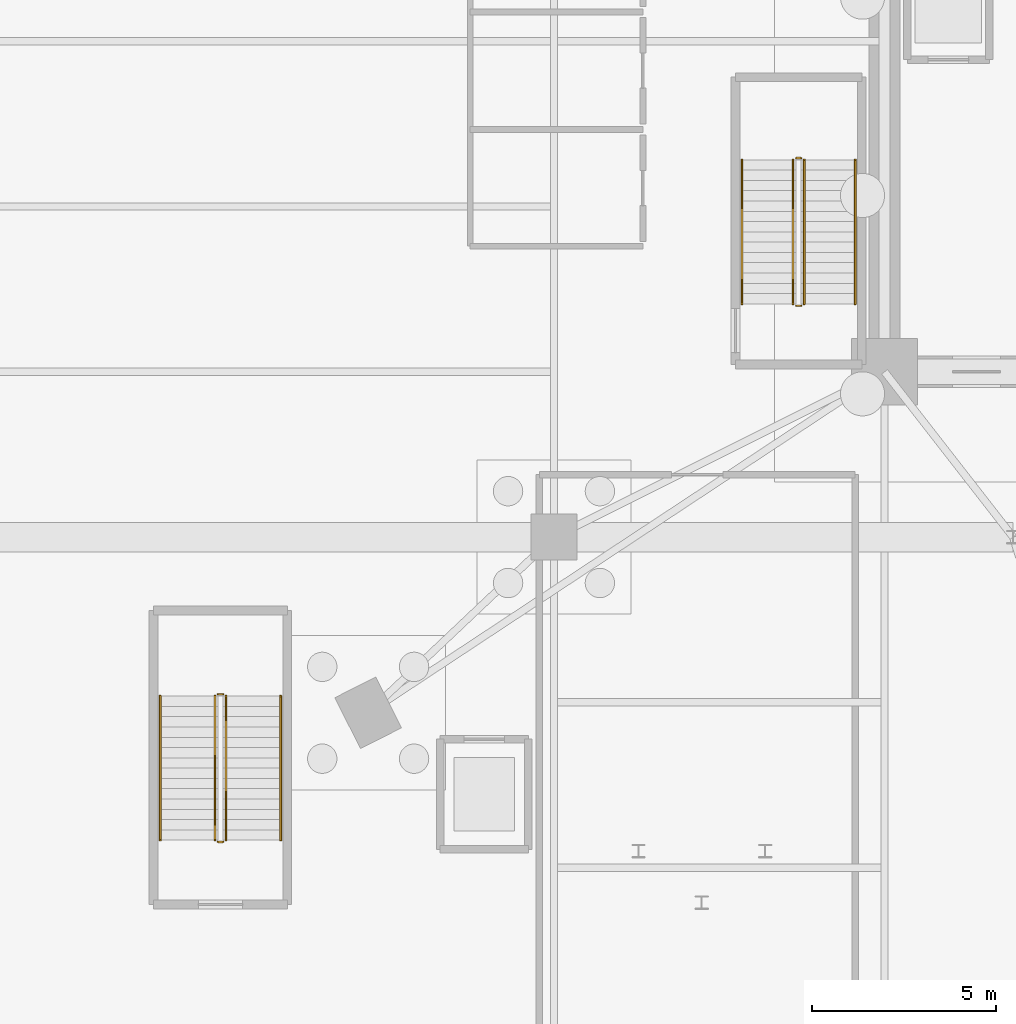
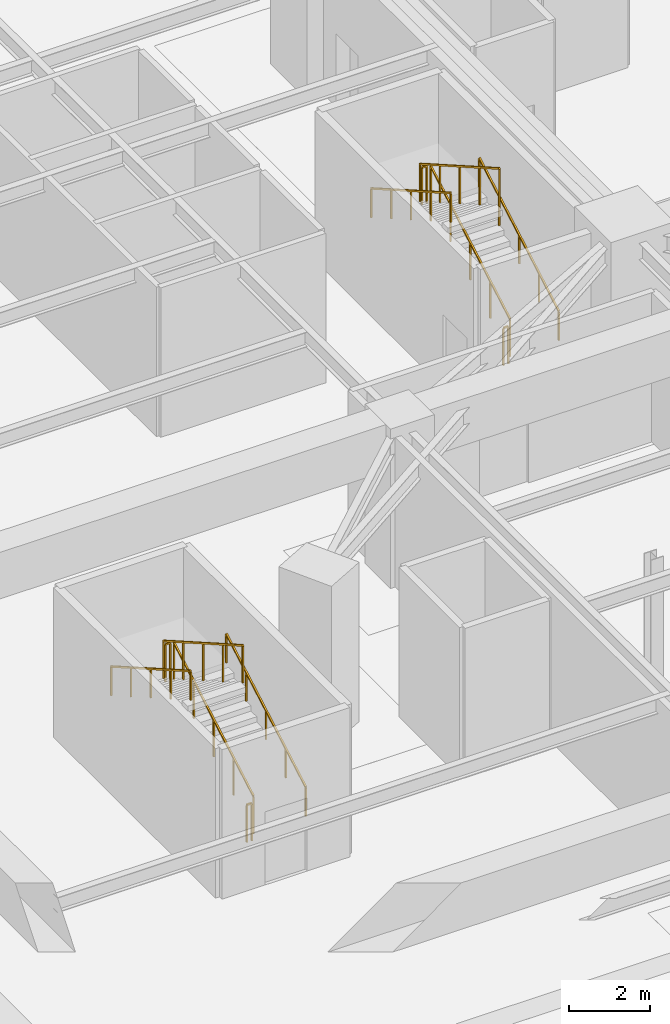
# One storey, part 15 of 19: 12 railings.
"""IFC4 building model written with IfcOpenShell, lengths in metres."""

import ifcopenshell
import ifcopenshell.guid

model = None  # the IFC model being written
_history = None  # IfcOwnerHistory: only IFC2X3 demands one
_inside = {}  # id of a spatial element -> (the spatial element, [elements in it])
_under = {}  # id of a project, library or spatial element -> (it, [spatial elements below it])
_declared = {}  # id of a project -> (the project, [libraries it declares])
_typed = {}  # id of a type object -> (the type object, [elements of that type])
_made_of = {}  # id of a material, layer set ... -> (it, [elements and type objects made of it])


def new_model(schema):
    """Start an empty IFC model of exactly this schema.

    Asked for "IFC4X3", IfcOpenShell would pick the latest addendum, in which some entities
    have other attributes; the version numbers below select the first issue.
    IFC2X3 requires an IfcOwnerHistory on every rooted entity: one is made here for all.
    """
    global model, _history
    if schema == "IFC4X3":
        model = ifcopenshell.file(schema_version=(4, 3, 0, 0))
    else:
        model = ifcopenshell.file(schema=schema)
    _inside.clear()
    _under.clear()
    _declared.clear()
    _typed.clear()
    _made_of.clear()
    _history = None
    if model.schema == "IFC2X3":
        org = make("IfcOrganization", Name="unknown")
        user = make(
            "IfcPersonAndOrganization",
            ThePerson=make("IfcPerson", FamilyName="unknown"),
            TheOrganization=org,
        )
        app = make(
            "IfcApplication",
            ApplicationDeveloper=org,
            Version="unknown",
            ApplicationFullName="unknown",
            ApplicationIdentifier="unknown",
        )
        _history = make(
            "IfcOwnerHistory",
            OwningUser=user,
            OwningApplication=app,
            ChangeAction="ADDED",
            CreationDate=0,
        )
    return model


def make(cls, **values):
    """One entity of the class cls with the attributes given. An attribute that is None is left unset."""
    return model.create_entity(
        cls, **{name: value for name, value in values.items() if value is not None}
    )


def rooted(cls, **values):
    """An entity with a GlobalId (a new one), such as an element, a storey or a relation."""
    return make(cls, GlobalId=ifcopenshell.guid.new(), OwnerHistory=_history, **values)


def si_unit(unit_type, name, prefix=None):
    """IfcSIUnit, for example si_unit("LENGTHUNIT", "METRE", prefix="MILLI")."""
    return make("IfcSIUnit", UnitType=unit_type, Prefix=prefix, Name=name)


def assignment(units):
    """IfcUnitAssignment: the units of a project."""
    return None if units is None else make("IfcUnitAssignment", Units=units)


def point(xyz):
    """IfcCartesianPoint."""
    return None if xyz is None else make("IfcCartesianPoint", Coordinates=xyz)


def direction(xyz):
    """IfcDirection."""
    return None if xyz is None else make("IfcDirection", DirectionRatios=xyz)


def frame(location, z_axis=None, x_axis=None):
    """IfcAxis2Placement3D, a coordinate frame: its origin and axes. An axis left out is left unset."""
    return make(
        "IfcAxis2Placement3D",
        Location=point(location),
        Axis=direction(z_axis),
        RefDirection=direction(x_axis),
    )


def frame_2d(location, x_axis=None):
    """IfcAxis2Placement2D, a coordinate frame in the plane: its origin and x axis."""
    return make(
        "IfcAxis2Placement2D", Location=point(location), RefDirection=direction(x_axis)
    )


def origin():
    """The frame at (0, 0, 0) with its axes left unset."""
    return frame((0.0, 0.0, 0.0))


def origin_2d():
    """The frame at (0, 0) in the plane with its x axis left unset."""
    return frame_2d((0.0, 0.0))


def place(relative_to, where):
    """IfcLocalPlacement: puts the frame where relative to a parent placement (None: the world)."""
    return make(
        "IfcLocalPlacement", PlacementRelTo=relative_to, RelativePlacement=where
    )


def context(
    kind, dimensions, precision=None, world=None, true_north=None, identifier=None
):
    """IfcGeometricRepresentationContext, for example the 3D "Model" context."""
    return make(
        "IfcGeometricRepresentationContext",
        ContextIdentifier=identifier,
        ContextType=kind,
        CoordinateSpaceDimension=dimensions,
        Precision=precision,
        WorldCoordinateSystem=world,
        TrueNorth=true_north,
    )


def subcontext(parent, identifier, kind, view, scale=None):
    """IfcGeometricRepresentationSubContext, for example "Body" below "Model"."""
    return make(
        "IfcGeometricRepresentationSubContext",
        ContextIdentifier=identifier,
        ContextType=kind,
        ParentContext=parent,
        TargetScale=scale,
        TargetView=view,
    )


def project(units=None, contexts=None):
    """IfcProject with its units and contexts."""
    return rooted(
        "IfcProject",
        Name="project",
        RepresentationContexts=contexts,
        UnitsInContext=assignment(units),
    )


def spatial(cls, under=None, at=None, **own):
    """A site, building, storey or space (cls), placed at a placement, below another one or the project."""
    s = rooted(cls, ObjectPlacement=at, **own)
    if under is not None:
        _under.setdefault(under.id(), (under, []))[1].append(s)
    return s


def profile(cls, at=None, kind="AREA", **sizes):
    """A parametric profile (cls). Its sizes go by their IFC names, for example OverallWidth=200.0."""
    return make(cls, ProfileType=kind, Position=at, **sizes)


def rectangle(**sizes):
    """IfcRectangleProfileDef."""
    return profile("IfcRectangleProfileDef", **sizes)


def extrude(swept, where, along, depth):
    """IfcExtrudedAreaSolid: the profile swept, set in the frame where, extruded along a direction by depth."""
    return make(
        "IfcExtrudedAreaSolid",
        SweptArea=swept,
        Position=where,
        ExtrudedDirection=direction(along),
        Depth=depth,
    )


def shape(context_of_items, identifier, shape_type, items):
    """IfcShapeRepresentation: the items that make up one representation, for example the "Body"."""
    return make(
        "IfcShapeRepresentation",
        ContextOfItems=context_of_items,
        RepresentationIdentifier=identifier,
        RepresentationType=shape_type,
        Items=items,
    )


def material(Name=None, Category=None):
    """IfcMaterial."""
    return make("IfcMaterial", Name=Name, Category=Category)


def made_of(thing, what):
    """Note that an element or type object is made of a material, layer set ...; save() writes the relation."""
    if what is not None:
        _made_of.setdefault(what.id(), (what, []))[1].append(thing)
    return thing


def type_object(cls, material=None, **own):
    """A type object (cls), such as IfcWallType, which elements share."""
    return made_of(rooted(cls, **own), material)


def element(
    cls,
    number,
    at=None,
    inside=None,
    cuts=None,
    type_object=None,
    material=None,
    context=None,
    identifier="Body",
    shape_type=None,
    held_by="IfcProductDefinitionShape",
    body=None,
    shapes=None,
    **own,
):
    """One element of the class cls, such as IfcWall. Its Tag is "e" and its number.

    at: its placement. inside: the storey or other place that contains it. cuts: it is an
    opening in that element (IfcRelVoidsElement). A single representation is given by context,
    identifier, shape_type and body (its items); several are given by shapes. held_by: the class
    of the entity that holds the representations. save() writes the other relations.
    """
    e = rooted(cls, Tag="e%d" % number, ObjectPlacement=at, **own)
    if body is not None:
        shapes = [shape(context, identifier, shape_type, body)]
    if shapes is not None:
        e.Representation = make(held_by, Representations=shapes)
    if inside is not None:
        _inside.setdefault(inside.id(), (inside, []))[1].append(e)
    if cuts is not None:
        rooted(
            "IfcRelVoidsElement", RelatingBuildingElement=cuts, RelatedOpeningElement=e
        )
    if type_object is not None:
        _typed.setdefault(type_object.id(), (type_object, []))[1].append(e)
    return made_of(e, material)


def aggregate(whole, parts):
    """IfcRelAggregates: a whole, such as a stair, and the parts it consists of."""
    return rooted("IfcRelAggregates", RelatingObject=whole, RelatedObjects=parts)


def save(model, path):
    """Write the relations noted so far, then the file.

    IfcRelAggregates (storeys below a building ...), IfcRelContainedInSpatialStructure (elements
    in a storey), IfcRelDefinesByType, IfcRelAssociatesMaterial and IfcRelDeclares: one each for
    every whole, place, type object, material and project.
    """
    for whole, parts in _under.values():
        aggregate(whole, parts)
    for where, things in _inside.values():
        rooted(
            "IfcRelContainedInSpatialStructure",
            RelatedElements=things,
            RelatingStructure=where,
        )
    for kind, things in _typed.values():
        rooted("IfcRelDefinesByType", RelatedObjects=things, RelatingType=kind)
    for what, things in _made_of.values():
        rooted("IfcRelAssociatesMaterial", RelatedObjects=things, RelatingMaterial=what)
    for by, libraries in _declared.values():
        rooted("IfcRelDeclares", RelatingContext=by, RelatedDefinitions=libraries)
    model.write(path)


model = new_model("IFC4")

# Units and contexts
model_context = context("Model", 3, precision=1e-05, world=origin(), true_north=direction((0.0, 1.0)))
body_context = subcontext(model_context, "Body", "Model", "MODEL_VIEW")
ifc_project = project(units=[si_unit("LENGTHUNIT", "METRE"), si_unit("AREAUNIT", "SQUARE_METRE"), si_unit("VOLUMEUNIT", "CUBIC_METRE"), si_unit("PLANEANGLEUNIT", "RADIAN"), si_unit("MASSUNIT", "GRAM", prefix="KILO")], contexts=[model_context])

# Site, building, storey
site_placement = place(None, origin())
site = spatial("IfcSite", under=ifc_project, at=site_placement, CompositionType="ELEMENT")
building_placement = place(site_placement, origin())
building = spatial("IfcBuilding", under=site, at=building_placement, Name="Liaohun Quay Tower", CompositionType="ELEMENT")
storey_placement = place(building_placement, frame((0.0, 0.0, -9.60009765625)))
storey = spatial("IfcBuildingStorey", under=building, at=storey_placement, Name="B2", CompositionType="ELEMENT", Elevation=-9.60009765625)

# Railings
ifc_material_1 = material(Name="Painted tubular steel", Category="steel")
railing_type_1 = type_object("IfcRailingType", Name="RLG-GUARD-STR", PredefinedType="GUARDRAIL", material=ifc_material_1)
railing_1_placement = place(storey_placement, frame((48.81005859375, 48.35009765625, 0.16015625)))
element("IfcRailing", 1, at=railing_1_placement, inside=storey, type_object=railing_type_1, Name="B2 ST-1 stair guard 1", PredefinedType="GUARDRAIL", context=body_context, shape_type="SweptSolid", body=[
    extrude(rectangle(XDim=0.048095703125, YDim=0.048095703125, at=origin_2d()), frame((0.0, 0.0, 1.1259765625), z_axis=(0.0, 0.868239814368, 0.496144761885), x_axis=(-1.0, 0.0, 0.0)), (0.0, 0.0, 1.0), 4.514892578125),
    extrude(rectangle(XDim=0.0419921875, YDim=0.0419921875, at=origin_2d()), origin(), (0.0, 0.0, 1.0), 1.101806640625),
    extrude(rectangle(XDim=0.0419921875, YDim=0.0419921875, at=origin_2d()), frame((0.0, 0.97998046875, 0.56005859375)), (0.0, 0.0, 1.0), 1.101806640625),
    extrude(rectangle(XDim=0.0419921875, YDim=0.0419921875, at=origin_2d()), frame((0.0, 1.9599609375, 1.1201171875)), (0.0, 0.0, 1.0), 1.101806640625),
    extrude(rectangle(XDim=0.0419921875, YDim=0.0419921875, at=origin_2d()), frame((0.0, 2.93994140625, 1.679931640625)), (0.0, 0.0, 1.0), 1.101806640625),
    extrude(rectangle(XDim=0.0419921875, YDim=0.0419921875, at=origin_2d()), frame((0.0, 3.919921875, 2.239990234375)), (0.0, 0.0, 1.0), 1.101806640625),
])
railing_2_placement = place(storey_placement, frame((48.72998046875, 52.320068359375, 2.400146484375)))
element("IfcRailing", 2, at=railing_2_placement, inside=storey, type_object=railing_type_1, Name="B2 ST-1 stair guard 2", PredefinedType="GUARDRAIL", context=body_context, shape_type="SweptSolid", body=[
    extrude(rectangle(XDim=0.048095703125, YDim=0.048095703125, at=origin_2d()), frame((0.0, 0.0, 1.1259765625), z_axis=(-1.0, 0.0, 0.0), x_axis=(0.0, -1.0, 0.0)), (0.0, 0.0, 1.0), 0.139892578125),
    extrude(rectangle(XDim=0.0419921875, YDim=0.0419921875, at=origin_2d()), origin(), (0.0, 0.0, 1.0), 1.101806640625),
    extrude(rectangle(XDim=0.0419921875, YDim=0.0419921875, at=origin_2d()), frame((-0.139892578125, 0.0, 0.0)), (0.0, 0.0, 1.0), 1.101806640625),
])
railing_3_placement = place(storey_placement, frame((48.510009765625, 52.27001953125, 2.56005859375)))
element("IfcRailing", 3, at=railing_3_placement, inside=storey, type_object=railing_type_1, Name="B2 ST-1 stair guard 3", PredefinedType="GUARDRAIL", context=body_context, shape_type="SweptSolid", body=[
    extrude(rectangle(XDim=0.048095703125, YDim=0.048095703125, at=origin_2d()), frame((0.0, 0.0, 1.1259765625), z_axis=(0.0, -0.868239814368, 0.496144761885), x_axis=(1.0, 0.0, 0.0)), (0.0, 0.0, 1.0), 4.514892578125),
    extrude(rectangle(XDim=0.0419921875, YDim=0.0419921875, at=origin_2d()), origin(), (0.0, 0.0, 1.0), 1.101806640625),
    extrude(rectangle(XDim=0.0419921875, YDim=0.0419921875, at=origin_2d()), frame((0.0, -0.97998046875, 0.56005859375)), (0.0, 0.0, 1.0), 1.101806640625),
    extrude(rectangle(XDim=0.0419921875, YDim=0.0419921875, at=origin_2d()), frame((0.0, -1.9599609375, 1.1201171875)), (0.0, 0.0, 1.0), 1.101806640625),
    extrude(rectangle(XDim=0.0419921875, YDim=0.0419921875, at=origin_2d()), frame((0.0, -2.93994140625, 1.679931640625)), (0.0, 0.0, 1.0), 1.101806640625),
    extrude(rectangle(XDim=0.0419921875, YDim=0.0419921875, at=origin_2d()), frame((0.0, -3.919921875, 2.239990234375)), (0.0, 0.0, 1.0), 1.101806640625),
])
railing_4_placement = place(storey_placement, frame((48.72998046875, 48.300048828125, 0.0)))
element("IfcRailing", 4, at=railing_4_placement, inside=storey, type_object=railing_type_1, Name="B2 ST-1 stair guard 4", PredefinedType="GUARDRAIL", context=body_context, shape_type="SweptSolid", body=[
    extrude(rectangle(XDim=0.048095703125, YDim=0.048095703125, at=origin_2d()), frame((0.0, 0.0, 1.1259765625), z_axis=(-1.0, 0.0, 0.0), x_axis=(0.0, -1.0, 0.0)), (0.0, 0.0, 1.0), 0.139892578125),
    extrude(rectangle(XDim=0.0419921875, YDim=0.0419921875, at=origin_2d()), origin(), (0.0, 0.0, 1.0), 1.101806640625),
    extrude(rectangle(XDim=0.0419921875, YDim=0.0419921875, at=origin_2d()), frame((-0.139892578125, 0.0, 0.0)), (0.0, 0.0, 1.0), 1.101806640625),
])
railing_5_placement = place(storey_placement, frame((33.070068359375, 33.75, 0.16015625)))
element("IfcRailing", 5, at=railing_5_placement, inside=storey, type_object=railing_type_1, Name="B2 ST-P1 stair guard 1", PredefinedType="GUARDRAIL", context=body_context, shape_type="SweptSolid", body=[
    extrude(rectangle(XDim=0.048095703125, YDim=0.048095703125, at=origin_2d()), frame((0.0, 0.0, 1.1259765625), z_axis=(0.0, 0.868239814368, 0.496144761885), x_axis=(-1.0, 0.0, 0.0)), (0.0, 0.0, 1.0), 4.514892578125),
    extrude(rectangle(XDim=0.0419921875, YDim=0.0419921875, at=origin_2d()), origin(), (0.0, 0.0, 1.0), 1.101806640625),
    extrude(rectangle(XDim=0.0419921875, YDim=0.0419921875, at=origin_2d()), frame((0.0, 0.97998046875, 0.56005859375)), (0.0, 0.0, 1.0), 1.101806640625),
    extrude(rectangle(XDim=0.0419921875, YDim=0.0419921875, at=origin_2d()), frame((0.0, 1.9599609375, 1.1201171875)), (0.0, 0.0, 1.0), 1.101806640625),
    extrude(rectangle(XDim=0.0419921875, YDim=0.0419921875, at=origin_2d()), frame((0.0, 2.93994140625, 1.679931640625)), (0.0, 0.0, 1.0), 1.101806640625),
    extrude(rectangle(XDim=0.0419921875, YDim=0.0419921875, at=origin_2d()), frame((0.0, 3.919921875, 2.239990234375)), (0.0, 0.0, 1.0), 1.101806640625),
])
railing_6_placement = place(storey_placement, frame((32.989990234375, 37.719970703125, 2.400146484375)))
element("IfcRailing", 6, at=railing_6_placement, inside=storey, type_object=railing_type_1, Name="B2 ST-P1 stair guard 2", PredefinedType="GUARDRAIL", context=body_context, shape_type="SweptSolid", body=[
    extrude(rectangle(XDim=0.048095703125, YDim=0.048095703125, at=origin_2d()), frame((0.0, 0.0, 1.1259765625), z_axis=(-1.0, 0.0, 0.0), x_axis=(0.0, -1.0, 0.0)), (0.0, 0.0, 1.0), 0.139892578125),
    extrude(rectangle(XDim=0.0419921875, YDim=0.0419921875, at=origin_2d()), origin(), (0.0, 0.0, 1.0), 1.101806640625),
    extrude(rectangle(XDim=0.0419921875, YDim=0.0419921875, at=origin_2d()), frame((-0.139892578125, 0.0, 0.0)), (0.0, 0.0, 1.0), 1.101806640625),
])
railing_7_placement = place(storey_placement, frame((32.77001953125, 37.669921875, 2.56005859375)))
element("IfcRailing", 7, at=railing_7_placement, inside=storey, type_object=railing_type_1, Name="B2 ST-P1 stair guard 3", PredefinedType="GUARDRAIL", context=body_context, shape_type="SweptSolid", body=[
    extrude(rectangle(XDim=0.048095703125, YDim=0.048095703125, at=origin_2d()), frame((0.0, 0.0, 1.1259765625), z_axis=(0.0, -0.868239814368, 0.496144761885), x_axis=(1.0, 0.0, 0.0)), (0.0, 0.0, 1.0), 4.514892578125),
    extrude(rectangle(XDim=0.0419921875, YDim=0.0419921875, at=origin_2d()), origin(), (0.0, 0.0, 1.0), 1.101806640625),
    extrude(rectangle(XDim=0.0419921875, YDim=0.0419921875, at=origin_2d()), frame((0.0, -0.97998046875, 0.56005859375)), (0.0, 0.0, 1.0), 1.101806640625),
    extrude(rectangle(XDim=0.0419921875, YDim=0.0419921875, at=origin_2d()), frame((0.0, -1.9599609375, 1.1201171875)), (0.0, 0.0, 1.0), 1.101806640625),
    extrude(rectangle(XDim=0.0419921875, YDim=0.0419921875, at=origin_2d()), frame((0.0, -2.93994140625, 1.679931640625)), (0.0, 0.0, 1.0), 1.101806640625),
    extrude(rectangle(XDim=0.0419921875, YDim=0.0419921875, at=origin_2d()), frame((0.0, -3.919921875, 2.239990234375)), (0.0, 0.0, 1.0), 1.101806640625),
])
railing_8_placement = place(storey_placement, frame((32.989990234375, 33.699951171875, 0.0)))
element("IfcRailing", 8, at=railing_8_placement, inside=storey, type_object=railing_type_1, Name="B2 ST-P1 stair guard 4", PredefinedType="GUARDRAIL", context=body_context, shape_type="SweptSolid", body=[
    extrude(rectangle(XDim=0.048095703125, YDim=0.048095703125, at=origin_2d()), frame((0.0, 0.0, 1.1259765625), z_axis=(-1.0, 0.0, 0.0), x_axis=(0.0, -1.0, 0.0)), (0.0, 0.0, 1.0), 0.139892578125),
    extrude(rectangle(XDim=0.0419921875, YDim=0.0419921875, at=origin_2d()), origin(), (0.0, 0.0, 1.0), 1.101806640625),
    extrude(rectangle(XDim=0.0419921875, YDim=0.0419921875, at=origin_2d()), frame((-0.139892578125, 0.0, 0.0)), (0.0, 0.0, 1.0), 1.101806640625),
])
ifc_material_2 = material(Name="Brushed stainless steel", Category="steel")
railing_type_2 = type_object("IfcRailingType", Name="RLG-HND-STR", PredefinedType="HANDRAIL", material=ifc_material_2)
railing_9_placement = place(storey_placement, frame((50.199951171875, 48.35009765625, 0.16015625)))
element("IfcRailing", 9, at=railing_9_placement, inside=storey, type_object=railing_type_2, Name="B2 ST-1 stair handrail 1", PredefinedType="HANDRAIL", context=body_context, shape_type="SweptSolid", body=[
    extrude(rectangle(XDim=0.048095703125, YDim=0.048095703125, at=origin_2d()), frame((0.0, 0.0, 0.8759765625), z_axis=(0.0, 0.868239814368, 0.496144761885), x_axis=(-1.0, 0.0, 0.0)), (0.0, 0.0, 1.0), 4.514892578125),
    extrude(rectangle(XDim=0.0419921875, YDim=0.0419921875, at=origin_2d()), origin(), (0.0, 0.0, 1.0), 0.851806640625),
    extrude(rectangle(XDim=0.0419921875, YDim=0.0419921875, at=origin_2d()), frame((0.0, 0.97998046875, 0.56005859375)), (0.0, 0.0, 1.0), 0.851806640625),
    extrude(rectangle(XDim=0.0419921875, YDim=0.0419921875, at=origin_2d()), frame((0.0, 1.9599609375, 1.1201171875)), (0.0, 0.0, 1.0), 0.851806640625),
    extrude(rectangle(XDim=0.0419921875, YDim=0.0419921875, at=origin_2d()), frame((0.0, 2.93994140625, 1.679931640625)), (0.0, 0.0, 1.0), 0.851806640625),
    extrude(rectangle(XDim=0.0419921875, YDim=0.0419921875, at=origin_2d()), frame((0.0, 3.919921875, 2.239990234375)), (0.0, 0.0, 1.0), 0.851806640625),
])
railing_10_placement = place(storey_placement, frame((47.1201171875, 52.27001953125, 2.56005859375)))
element("IfcRailing", 10, at=railing_10_placement, inside=storey, type_object=railing_type_2, Name="B2 ST-1 stair handrail 2", PredefinedType="HANDRAIL", context=body_context, shape_type="SweptSolid", body=[
    extrude(rectangle(XDim=0.048095703125, YDim=0.048095703125, at=origin_2d()), frame((0.0, 0.0, 0.8759765625), z_axis=(0.0, -0.868239814368, 0.496144761885), x_axis=(1.0, 0.0, 0.0)), (0.0, 0.0, 1.0), 4.514892578125),
    extrude(rectangle(XDim=0.0419921875, YDim=0.0419921875, at=origin_2d()), origin(), (0.0, 0.0, 1.0), 0.851806640625),
    extrude(rectangle(XDim=0.0419921875, YDim=0.0419921875, at=origin_2d()), frame((0.0, -0.97998046875, 0.56005859375)), (0.0, 0.0, 1.0), 0.851806640625),
    extrude(rectangle(XDim=0.0419921875, YDim=0.0419921875, at=origin_2d()), frame((0.0, -1.9599609375, 1.1201171875)), (0.0, 0.0, 1.0), 0.851806640625),
    extrude(rectangle(XDim=0.0419921875, YDim=0.0419921875, at=origin_2d()), frame((0.0, -2.93994140625, 1.679931640625)), (0.0, 0.0, 1.0), 0.851806640625),
    extrude(rectangle(XDim=0.0419921875, YDim=0.0419921875, at=origin_2d()), frame((0.0, -3.919921875, 2.239990234375)), (0.0, 0.0, 1.0), 0.851806640625),
])
railing_11_placement = place(storey_placement, frame((34.56005859375, 33.75, 0.16015625)))
element("IfcRailing", 11, at=railing_11_placement, inside=storey, type_object=railing_type_2, Name="B2 ST-P1 stair handrail 1", PredefinedType="HANDRAIL", context=body_context, shape_type="SweptSolid", body=[
    extrude(rectangle(XDim=0.048095703125, YDim=0.048095703125, at=origin_2d()), frame((0.0, 0.0, 0.8759765625), z_axis=(0.0, 0.868239814368, 0.496144761885), x_axis=(-1.0, 0.0, 0.0)), (0.0, 0.0, 1.0), 4.514892578125),
    extrude(rectangle(XDim=0.0419921875, YDim=0.0419921875, at=origin_2d()), origin(), (0.0, 0.0, 1.0), 0.851806640625),
    extrude(rectangle(XDim=0.0419921875, YDim=0.0419921875, at=origin_2d()), frame((0.0, 0.97998046875, 0.56005859375)), (0.0, 0.0, 1.0), 0.851806640625),
    extrude(rectangle(XDim=0.0419921875, YDim=0.0419921875, at=origin_2d()), frame((0.0, 1.9599609375, 1.1201171875)), (0.0, 0.0, 1.0), 0.851806640625),
    extrude(rectangle(XDim=0.0419921875, YDim=0.0419921875, at=origin_2d()), frame((0.0, 2.93994140625, 1.679931640625)), (0.0, 0.0, 1.0), 0.851806640625),
    extrude(rectangle(XDim=0.0419921875, YDim=0.0419921875, at=origin_2d()), frame((0.0, 3.919921875, 2.239990234375)), (0.0, 0.0, 1.0), 0.851806640625),
])
railing_12_placement = place(storey_placement, frame((31.280029296875, 37.669921875, 2.56005859375)))
element("IfcRailing", 12, at=railing_12_placement, inside=storey, type_object=railing_type_2, Name="B2 ST-P1 stair handrail 2", PredefinedType="HANDRAIL", context=body_context, shape_type="SweptSolid", body=[
    extrude(rectangle(XDim=0.048095703125, YDim=0.048095703125, at=origin_2d()), frame((0.0, 0.0, 0.8759765625), z_axis=(0.0, -0.868239814368, 0.496144761885), x_axis=(1.0, 0.0, 0.0)), (0.0, 0.0, 1.0), 4.514892578125),
    extrude(rectangle(XDim=0.0419921875, YDim=0.0419921875, at=origin_2d()), origin(), (0.0, 0.0, 1.0), 0.851806640625),
    extrude(rectangle(XDim=0.0419921875, YDim=0.0419921875, at=origin_2d()), frame((0.0, -0.97998046875, 0.56005859375)), (0.0, 0.0, 1.0), 0.851806640625),
    extrude(rectangle(XDim=0.0419921875, YDim=0.0419921875, at=origin_2d()), frame((0.0, -1.9599609375, 1.1201171875)), (0.0, 0.0, 1.0), 0.851806640625),
    extrude(rectangle(XDim=0.0419921875, YDim=0.0419921875, at=origin_2d()), frame((0.0, -2.93994140625, 1.679931640625)), (0.0, 0.0, 1.0), 0.851806640625),
    extrude(rectangle(XDim=0.0419921875, YDim=0.0419921875, at=origin_2d()), frame((0.0, -3.919921875, 2.239990234375)), (0.0, 0.0, 1.0), 0.851806640625),
])

save(model, "model.ifc")
